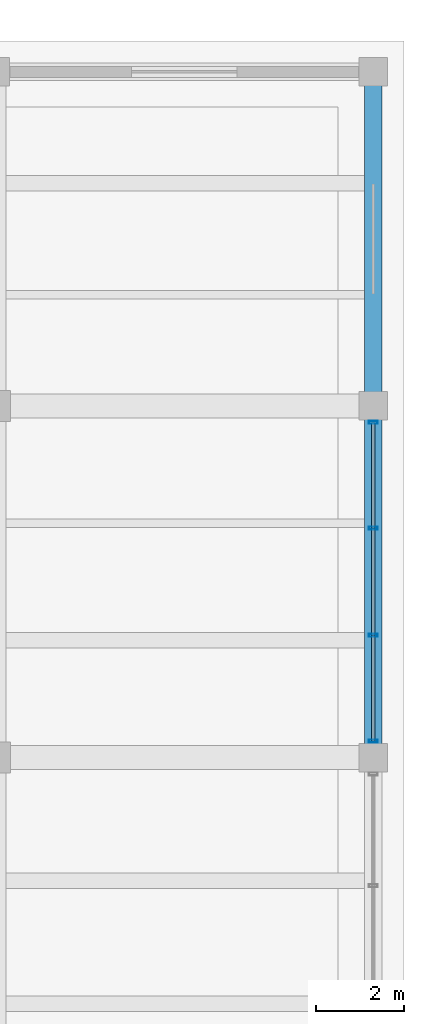
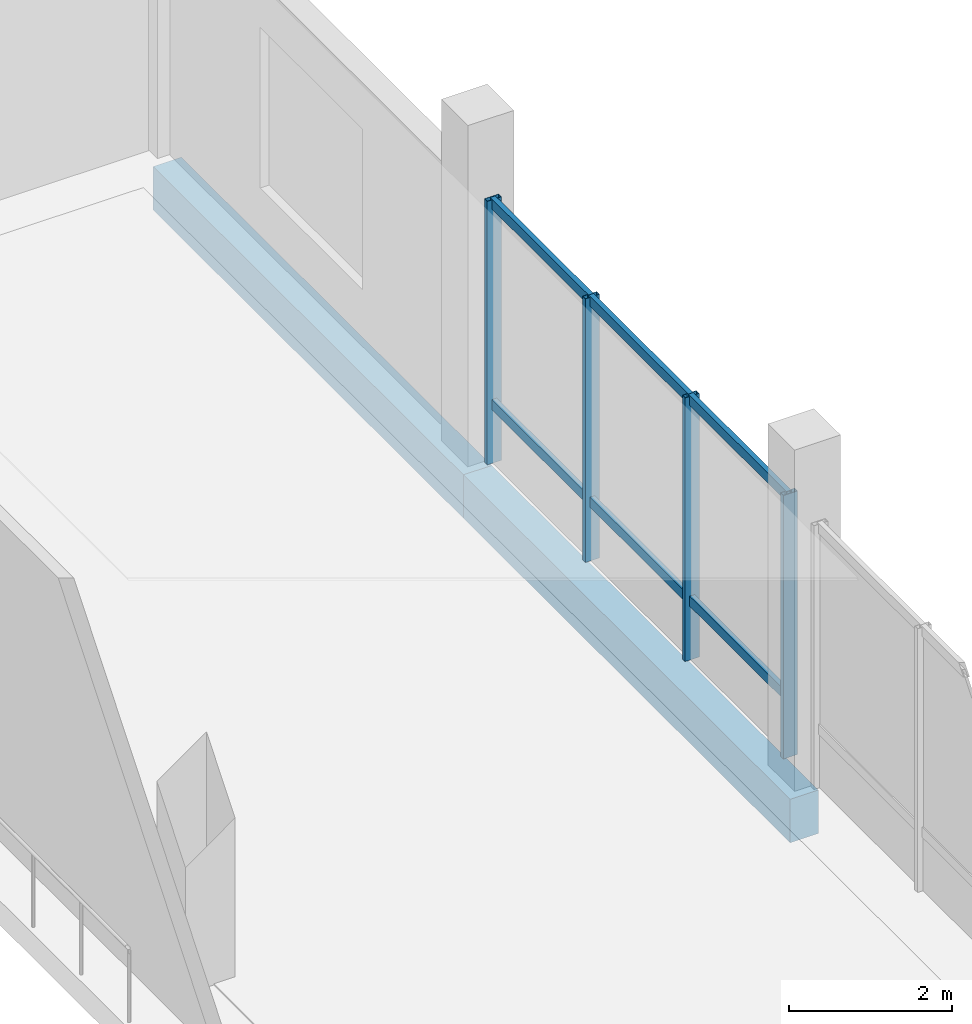
# One storey, part 53 of 73: 10 members, 2 beams, 1 element without a shape of its own.
"""IFC4 building model written with IfcOpenShell, lengths in metres."""

import ifcopenshell
import ifcopenshell.guid

model = None  # the IFC model being written
_history = None  # IfcOwnerHistory: only IFC2X3 demands one
_inside = {}  # id of a spatial element -> (the spatial element, [elements in it])
_under = {}  # id of a project, library or spatial element -> (it, [spatial elements below it])
_declared = {}  # id of a project -> (the project, [libraries it declares])
_typed = {}  # id of a type object -> (the type object, [elements of that type])
_made_of = {}  # id of a material, layer set ... -> (it, [elements and type objects made of it])


def new_model(schema):
    """Start an empty IFC model of exactly this schema.

    Asked for "IFC4X3", IfcOpenShell would pick the latest addendum, in which some entities
    have other attributes; the version numbers below select the first issue.
    IFC2X3 requires an IfcOwnerHistory on every rooted entity: one is made here for all.
    """
    global model, _history
    if schema == "IFC4X3":
        model = ifcopenshell.file(schema_version=(4, 3, 0, 0))
    else:
        model = ifcopenshell.file(schema=schema)
    _inside.clear()
    _under.clear()
    _declared.clear()
    _typed.clear()
    _made_of.clear()
    _history = None
    if model.schema == "IFC2X3":
        org = make("IfcOrganization", Name="unknown")
        user = make(
            "IfcPersonAndOrganization",
            ThePerson=make("IfcPerson", FamilyName="unknown"),
            TheOrganization=org,
        )
        app = make(
            "IfcApplication",
            ApplicationDeveloper=org,
            Version="unknown",
            ApplicationFullName="unknown",
            ApplicationIdentifier="unknown",
        )
        _history = make(
            "IfcOwnerHistory",
            OwningUser=user,
            OwningApplication=app,
            ChangeAction="ADDED",
            CreationDate=0,
        )
    return model


def make(cls, **values):
    """One entity of the class cls with the attributes given. An attribute that is None is left unset."""
    return model.create_entity(
        cls, **{name: value for name, value in values.items() if value is not None}
    )


def rooted(cls, **values):
    """An entity with a GlobalId (a new one), such as an element, a storey or a relation."""
    return make(cls, GlobalId=ifcopenshell.guid.new(), OwnerHistory=_history, **values)


def si_unit(unit_type, name, prefix=None):
    """IfcSIUnit, for example si_unit("LENGTHUNIT", "METRE", prefix="MILLI")."""
    return make("IfcSIUnit", UnitType=unit_type, Prefix=prefix, Name=name)


def assignment(units):
    """IfcUnitAssignment: the units of a project."""
    return None if units is None else make("IfcUnitAssignment", Units=units)


def point(xyz):
    """IfcCartesianPoint."""
    return None if xyz is None else make("IfcCartesianPoint", Coordinates=xyz)


def direction(xyz):
    """IfcDirection."""
    return None if xyz is None else make("IfcDirection", DirectionRatios=xyz)


def frame(location, z_axis=None, x_axis=None):
    """IfcAxis2Placement3D, a coordinate frame: its origin and axes. An axis left out is left unset."""
    return make(
        "IfcAxis2Placement3D",
        Location=point(location),
        Axis=direction(z_axis),
        RefDirection=direction(x_axis),
    )


def frame_2d(location, x_axis=None):
    """IfcAxis2Placement2D, a coordinate frame in the plane: its origin and x axis."""
    return make(
        "IfcAxis2Placement2D", Location=point(location), RefDirection=direction(x_axis)
    )


def origin():
    """The frame at (0, 0, 0) with its axes left unset."""
    return frame((0.0, 0.0, 0.0))


def origin_2d():
    """The frame at (0, 0) in the plane with its x axis left unset."""
    return frame_2d((0.0, 0.0))


def place(relative_to, where):
    """IfcLocalPlacement: puts the frame where relative to a parent placement (None: the world)."""
    return make(
        "IfcLocalPlacement", PlacementRelTo=relative_to, RelativePlacement=where
    )


def context(
    kind, dimensions, precision=None, world=None, true_north=None, identifier=None
):
    """IfcGeometricRepresentationContext, for example the 3D "Model" context."""
    return make(
        "IfcGeometricRepresentationContext",
        ContextIdentifier=identifier,
        ContextType=kind,
        CoordinateSpaceDimension=dimensions,
        Precision=precision,
        WorldCoordinateSystem=world,
        TrueNorth=true_north,
    )


def subcontext(parent, identifier, kind, view, scale=None):
    """IfcGeometricRepresentationSubContext, for example "Body" below "Model"."""
    return make(
        "IfcGeometricRepresentationSubContext",
        ContextIdentifier=identifier,
        ContextType=kind,
        ParentContext=parent,
        TargetScale=scale,
        TargetView=view,
    )


def project(units=None, contexts=None):
    """IfcProject with its units and contexts."""
    return rooted(
        "IfcProject",
        Name="project",
        RepresentationContexts=contexts,
        UnitsInContext=assignment(units),
    )


def spatial(cls, under=None, at=None, **own):
    """A site, building, storey or space (cls), placed at a placement, below another one or the project."""
    s = rooted(cls, ObjectPlacement=at, **own)
    if under is not None:
        _under.setdefault(under.id(), (under, []))[1].append(s)
    return s


def profile(cls, at=None, kind="AREA", **sizes):
    """A parametric profile (cls). Its sizes go by their IFC names, for example OverallWidth=200.0."""
    return make(cls, ProfileType=kind, Position=at, **sizes)


def rectangle(**sizes):
    """IfcRectangleProfileDef."""
    return profile("IfcRectangleProfileDef", **sizes)


def hollow_rectangle(**sizes):
    """IfcRectangleHollowProfileDef."""
    return profile("IfcRectangleHollowProfileDef", **sizes)


def extrude(swept, where, along, depth):
    """IfcExtrudedAreaSolid: the profile swept, set in the frame where, extruded along a direction by depth."""
    return make(
        "IfcExtrudedAreaSolid",
        SweptArea=swept,
        Position=where,
        ExtrudedDirection=direction(along),
        Depth=depth,
    )


def shape(context_of_items, identifier, shape_type, items):
    """IfcShapeRepresentation: the items that make up one representation, for example the "Body"."""
    return make(
        "IfcShapeRepresentation",
        ContextOfItems=context_of_items,
        RepresentationIdentifier=identifier,
        RepresentationType=shape_type,
        Items=items,
    )


def material(Name=None, Category=None):
    """IfcMaterial."""
    return make("IfcMaterial", Name=Name, Category=Category)


def layer(
    of_material, thickness, ventilated=None, Name=None, Category=None, Priority=None
):
    """IfcMaterialLayer: one layer of a wall or slab, of a material (None: an air gap)."""
    return make(
        "IfcMaterialLayer",
        Material=of_material,
        LayerThickness=thickness,
        IsVentilated=ventilated,
        Name=Name,
        Category=Category,
        Priority=Priority,
    )


def layer_set(layers, Name=None):
    """IfcMaterialLayerSet."""
    return make("IfcMaterialLayerSet", MaterialLayers=layers, LayerSetName=Name)


def material_profile(
    of_material, cross_section, Name=None, Category=None, Priority=None
):
    """IfcMaterialProfile: a cross section and its material."""
    return make(
        "IfcMaterialProfile",
        Name=Name,
        Material=of_material,
        Profile=cross_section,
        Priority=Priority,
        Category=Category,
    )


def profile_set(profiles, Name=None, composite=None):
    """IfcMaterialProfileSet."""
    return make(
        "IfcMaterialProfileSet",
        Name=Name,
        MaterialProfiles=profiles,
        CompositeProfile=composite,
    )


def made_of(thing, what):
    """Note that an element or type object is made of a material, layer set ...; save() writes the relation."""
    if what is not None:
        _made_of.setdefault(what.id(), (what, []))[1].append(thing)
    return thing


def type_object(cls, material=None, **own):
    """A type object (cls), such as IfcWallType, which elements share."""
    return made_of(rooted(cls, **own), material)


def element(
    cls,
    number,
    at=None,
    inside=None,
    cuts=None,
    type_object=None,
    material=None,
    context=None,
    identifier="Body",
    shape_type=None,
    held_by="IfcProductDefinitionShape",
    body=None,
    shapes=None,
    **own,
):
    """One element of the class cls, such as IfcWall. Its Tag is "e" and its number.

    at: its placement. inside: the storey or other place that contains it. cuts: it is an
    opening in that element (IfcRelVoidsElement). A single representation is given by context,
    identifier, shape_type and body (its items); several are given by shapes. held_by: the class
    of the entity that holds the representations. save() writes the other relations.
    """
    e = rooted(cls, Tag="e%d" % number, ObjectPlacement=at, **own)
    if body is not None:
        shapes = [shape(context, identifier, shape_type, body)]
    if shapes is not None:
        e.Representation = make(held_by, Representations=shapes)
    if inside is not None:
        _inside.setdefault(inside.id(), (inside, []))[1].append(e)
    if cuts is not None:
        rooted(
            "IfcRelVoidsElement", RelatingBuildingElement=cuts, RelatedOpeningElement=e
        )
    if type_object is not None:
        _typed.setdefault(type_object.id(), (type_object, []))[1].append(e)
    return made_of(e, material)


def aggregate(whole, parts):
    """IfcRelAggregates: a whole, such as a stair, and the parts it consists of."""
    return rooted("IfcRelAggregates", RelatingObject=whole, RelatedObjects=parts)


def save(model, path):
    """Write the relations noted so far, then the file.

    IfcRelAggregates (storeys below a building ...), IfcRelContainedInSpatialStructure (elements
    in a storey), IfcRelDefinesByType, IfcRelAssociatesMaterial and IfcRelDeclares: one each for
    every whole, place, type object, material and project.
    """
    for whole, parts in _under.values():
        aggregate(whole, parts)
    for where, things in _inside.values():
        rooted(
            "IfcRelContainedInSpatialStructure",
            RelatedElements=things,
            RelatingStructure=where,
        )
    for kind, things in _typed.values():
        rooted("IfcRelDefinesByType", RelatedObjects=things, RelatingType=kind)
    for what, things in _made_of.values():
        rooted("IfcRelAssociatesMaterial", RelatedObjects=things, RelatingMaterial=what)
    for by, libraries in _declared.values():
        rooted("IfcRelDeclares", RelatingContext=by, RelatedDefinitions=libraries)
    model.write(path)


model = new_model("IFC4")

# Units and contexts
model_context = context("Model", 3, precision=1e-05, world=origin(), true_north=direction((0.0, 1.0)))
body_context = subcontext(model_context, "Body", "Model", "MODEL_VIEW")
ifc_project = project(units=[si_unit("LENGTHUNIT", "METRE"), si_unit("AREAUNIT", "SQUARE_METRE"), si_unit("VOLUMEUNIT", "CUBIC_METRE"), si_unit("PLANEANGLEUNIT", "RADIAN"), si_unit("MASSUNIT", "GRAM", prefix="KILO")], contexts=[model_context])

# Site, building, storey
site_placement = place(None, origin())
site = spatial("IfcSite", under=ifc_project, at=site_placement, CompositionType="ELEMENT")
building_placement = place(site_placement, origin())
building = spatial("IfcBuilding", under=site, at=building_placement, Name="Meriwether Solvik Hall", CompositionType="ELEMENT")
storey_placement = place(building_placement, origin())
storey = spatial("IfcBuildingStorey", under=building, at=storey_placement, Name="L00", CompositionType="ELEMENT", Elevation=0.0)

# Beams
ifc_material_1 = material(Name="Concrete C40/50", Category="concrete")
ifc_material_profile_1 = material_profile(ifc_material_1, rectangle(XDim=0.39990234375, YDim=0.64990234375, at=origin_2d()), Name="RCB-400X650")
ifc_profile_set_1 = profile_set([ifc_material_profile_1], Name="Concrete C40/50")
beam_type = type_object("IfcBeamType", Name="BM-RC-400X650", PredefinedType="SPANDREL", material=ifc_profile_set_1)
beam_1_placement = place(storey_placement, frame((166.800048828125, 101.199951171875, -0.68505859375), z_axis=(0.0, 1.0, 0.0), x_axis=(-1.0, 0.0, 0.0)))
element("IfcBeam", 1, at=beam_1_placement, inside=storey, type_object=beam_type, Name="Podium Girder 19:L-M (L00)", PredefinedType="SPANDREL", context=body_context, shape_type="SweptSolid", body=[
    extrude(rectangle(XDim=0.39990234375, YDim=0.64990234375, at=origin_2d()), origin(), (0.0, 0.0, 1.0), 8.0),
])
beam_2_placement = place(storey_placement, frame((166.800048828125, 109.199951171875, -0.68505859375), z_axis=(0.0, 1.0, 0.0), x_axis=(-1.0, 0.0, 0.0)))
element("IfcBeam", 2, at=beam_2_placement, inside=storey, type_object=beam_type, Name="Podium Girder 19:M-N (L00)", PredefinedType="SPANDREL", context=body_context, shape_type="SweptSolid", body=[
    extrude(rectangle(XDim=0.39990234375, YDim=0.64990234375, at=origin_2d()), origin(), (0.0, 0.0, 1.0), 7.60009765625),
])

# Curtain wall, members
ifc_material_2 = material(Name="Thermally Broken Anodised Aluminium 6063-T6 and Low-E Glass", Category="aluminium")
ifc_layer = layer(ifc_material_2, 0.179931640625)
ifc_layer_set = layer_set([ifc_layer], Name="Thermally Broken Anodised Aluminium 6063-T6 and Low-E Glass")
curtain_wall_type = type_object("IfcCurtainWallType", Name="CW-SF-POD-A", PredefinedType="USERDEFINED", material=ifc_layer_set)
curtain_wall_placement = place(storey_placement, origin())
curtain_wall = element("IfcCurtainWall", 3, at=curtain_wall_placement, inside=storey, type_object=curtain_wall_type, Name="Curtain Wall wing_Y19_12_70 (L00)", ObjectType="STICK STOREFRONT GLAZING", PredefinedType="USERDEFINED")
ifc_material_3 = material(Name="Anodised Aluminium 6063-T6", Category="aluminium")
ifc_material_profile_2 = material_profile(ifc_material_3, hollow_rectangle(XDim=0.070068359375, YDim=0.199951171875, WallThickness=0.0048828125, at=origin_2d()), Name="CWM-70X200")
ifc_profile_set_2 = profile_set([ifc_material_profile_2], Name="Anodised Aluminium 6063-T6")
member_type_1 = type_object("IfcMemberType", Name="CW-MUL-70X200", PredefinedType="MULLION", material=ifc_profile_set_2)
member_1_placement = place(storey_placement, frame((166.800048828125, 108.824951171875, 0.0), z_axis=(0.0, 0.0, 1.0), x_axis=(0.0, -1.0, 0.0)))
member_1 = element("IfcMember", 4, at=member_1_placement, type_object=member_type_1, Name="Curtain Wall Mullion 1", PredefinedType="MULLION", context=body_context, shape_type="SweptSolid", body=[
    extrude(hollow_rectangle(XDim=0.070068359375, YDim=0.199951171875, WallThickness=0.0048828125, at=origin_2d()), origin(), (0.0, 0.0, 1.0), 3.93994140625),
])
member_2_placement = place(storey_placement, frame((166.800048828125, 106.4208984375, 0.0), z_axis=(0.0, 0.0, 1.0), x_axis=(0.0, -1.0, 0.0)))
member_2 = element("IfcMember", 5, at=member_2_placement, type_object=member_type_1, Name="Curtain Wall Mullion 2", PredefinedType="MULLION", context=body_context, shape_type="SweptSolid", body=[
    extrude(hollow_rectangle(XDim=0.070068359375, YDim=0.199951171875, WallThickness=0.0048828125, at=origin_2d()), origin(), (0.0, 0.0, 1.0), 3.93994140625),
])
member_3_placement = place(storey_placement, frame((166.800048828125, 103.97900390625, 0.0), z_axis=(0.0, 0.0, 1.0), x_axis=(0.0, -1.0, 0.0)))
member_3 = element("IfcMember", 6, at=member_3_placement, type_object=member_type_1, Name="Curtain Wall Mullion 3", PredefinedType="MULLION", context=body_context, shape_type="SweptSolid", body=[
    extrude(hollow_rectangle(XDim=0.070068359375, YDim=0.199951171875, WallThickness=0.0048828125, at=origin_2d()), origin(), (0.0, 0.0, 1.0), 3.93994140625),
])
member_4_placement = place(storey_placement, frame((166.800048828125, 101.574951171875, 0.0), z_axis=(0.0, 0.0, 1.0), x_axis=(0.0, -1.0, 0.0)))
member_4 = element("IfcMember", 7, at=member_4_placement, type_object=member_type_1, Name="Curtain Wall Mullion 4", PredefinedType="MULLION", context=body_context, shape_type="SweptSolid", body=[
    extrude(hollow_rectangle(XDim=0.070068359375, YDim=0.199951171875, WallThickness=0.0048828125, at=origin_2d()), origin(), (0.0, 0.0, 1.0), 3.93994140625),
])
ifc_material_4 = material(Name="Anodised Aluminium 6063-T6", Category="aluminium")
ifc_material_profile_3 = material_profile(ifc_material_4, hollow_rectangle(XDim=0.070068359375, YDim=0.14990234375, WallThickness=0.0048828125, at=origin_2d()), Name="CWT-70X150")
ifc_profile_set_3 = profile_set([ifc_material_profile_3], Name="Anodised Aluminium 6063-T6")
member_type_2 = type_object("IfcMemberType", Name="CW-TRN-70X150", PredefinedType="USERDEFINED", material=ifc_profile_set_3)
member_5_placement = place(storey_placement, frame((166.800048828125, 108.824951171875, 0.8798828125), z_axis=(0.0, -1.0, 0.0), x_axis=(1.0, 0.0, 0.0)))
member_5 = element("IfcMember", 8, at=member_5_placement, type_object=member_type_2, Name="Curtain Wall Transom 1-sill", ObjectType="TRANSOM", PredefinedType="USERDEFINED", context=body_context, shape_type="SweptSolid", body=[
    extrude(hollow_rectangle(XDim=0.070068359375, YDim=0.14990234375, WallThickness=0.0048828125, at=origin_2d()), origin(), (0.0, 0.0, 1.0), 2.404052734375),
])
member_6_placement = place(storey_placement, frame((166.800048828125, 108.824951171875, 3.8798828125), z_axis=(0.0, -1.0, 0.0), x_axis=(1.0, 0.0, 0.0)))
member_6 = element("IfcMember", 9, at=member_6_placement, type_object=member_type_2, Name="Curtain Wall Transom 1-head", ObjectType="TRANSOM", PredefinedType="USERDEFINED", context=body_context, shape_type="SweptSolid", body=[
    extrude(hollow_rectangle(XDim=0.070068359375, YDim=0.14990234375, WallThickness=0.0048828125, at=origin_2d()), origin(), (0.0, 0.0, 1.0), 2.404052734375),
])
member_7_placement = place(storey_placement, frame((166.800048828125, 106.4208984375, 0.8798828125), z_axis=(0.0, -1.0, 0.0), x_axis=(1.0, 0.0, 0.0)))
member_7 = element("IfcMember", 10, at=member_7_placement, type_object=member_type_2, Name="Curtain Wall Transom 2-sill", ObjectType="TRANSOM", PredefinedType="USERDEFINED", context=body_context, shape_type="SweptSolid", body=[
    extrude(hollow_rectangle(XDim=0.070068359375, YDim=0.14990234375, WallThickness=0.0048828125, at=origin_2d()), origin(), (0.0, 0.0, 1.0), 2.44189453125),
])
member_8_placement = place(storey_placement, frame((166.800048828125, 106.4208984375, 3.8798828125), z_axis=(0.0, -1.0, 0.0), x_axis=(1.0, 0.0, 0.0)))
member_8 = element("IfcMember", 11, at=member_8_placement, type_object=member_type_2, Name="Curtain Wall Transom 2-head", ObjectType="TRANSOM", PredefinedType="USERDEFINED", context=body_context, shape_type="SweptSolid", body=[
    extrude(hollow_rectangle(XDim=0.070068359375, YDim=0.14990234375, WallThickness=0.0048828125, at=origin_2d()), origin(), (0.0, 0.0, 1.0), 2.44189453125),
])
member_9_placement = place(storey_placement, frame((166.800048828125, 103.97900390625, 0.8798828125), z_axis=(0.0, -1.0, 0.0), x_axis=(1.0, 0.0, 0.0)))
member_9 = element("IfcMember", 12, at=member_9_placement, type_object=member_type_2, Name="Curtain Wall Transom 3-sill", ObjectType="TRANSOM", PredefinedType="USERDEFINED", context=body_context, shape_type="SweptSolid", body=[
    extrude(hollow_rectangle(XDim=0.070068359375, YDim=0.14990234375, WallThickness=0.0048828125, at=origin_2d()), origin(), (0.0, 0.0, 1.0), 2.404052734375),
])
member_10_placement = place(storey_placement, frame((166.800048828125, 103.97900390625, 3.8798828125), z_axis=(0.0, -1.0, 0.0), x_axis=(1.0, 0.0, 0.0)))
member_10 = element("IfcMember", 13, at=member_10_placement, type_object=member_type_2, Name="Curtain Wall Transom 3-head", ObjectType="TRANSOM", PredefinedType="USERDEFINED", context=body_context, shape_type="SweptSolid", body=[
    extrude(hollow_rectangle(XDim=0.070068359375, YDim=0.14990234375, WallThickness=0.0048828125, at=origin_2d()), origin(), (0.0, 0.0, 1.0), 2.404052734375),
])
aggregate(curtain_wall, [member_1, member_2, member_3, member_4, member_5, member_6, member_7, member_8, member_9, member_10])

save(model, "model.ifc")
